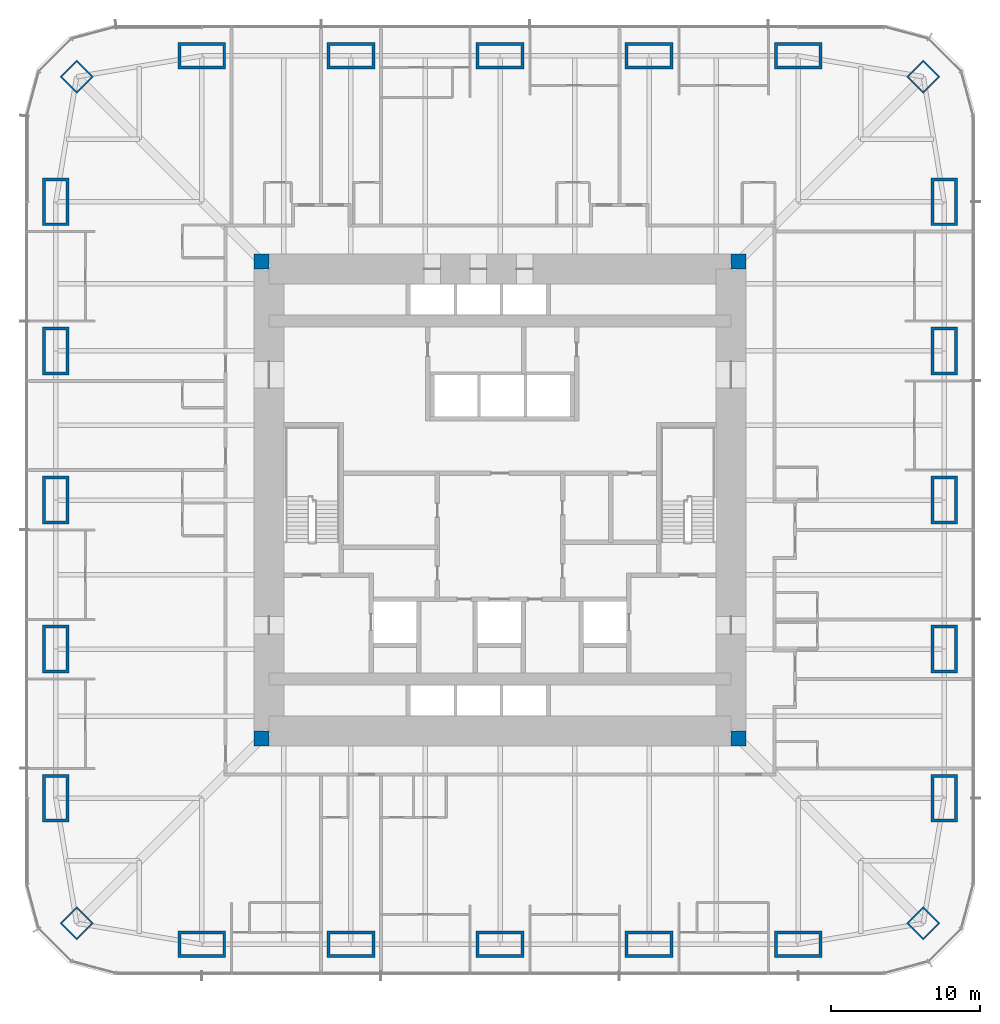
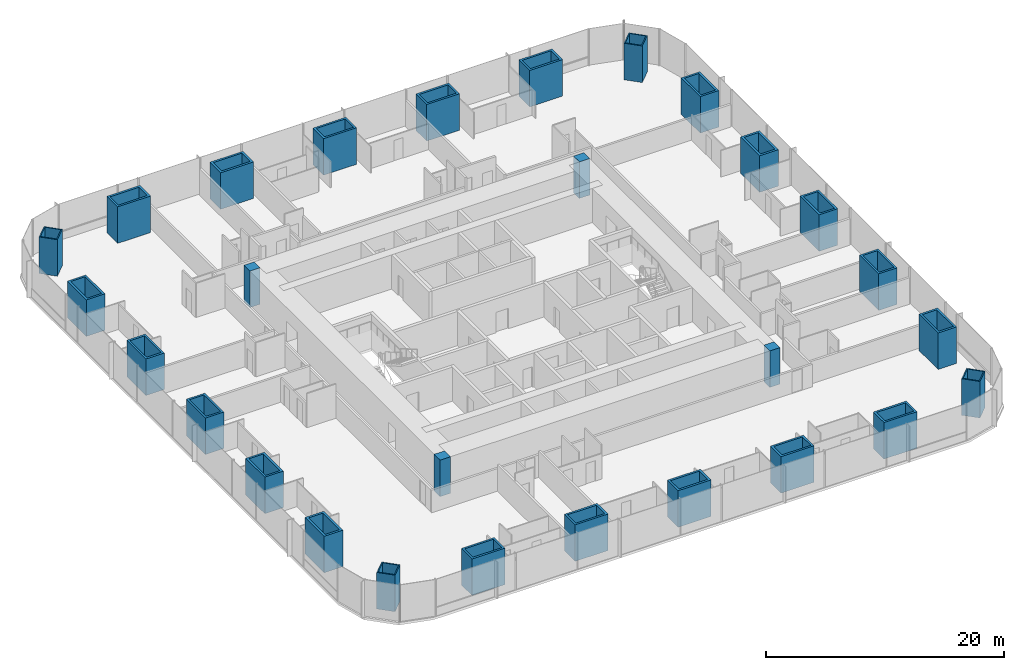
# One storey, part 1 of 17: 28 columns.
"""IFC4 building model written with IfcOpenShell, lengths in metres."""

from ifc_helpers import new_model, si_unit, direction, frame, origin, origin_2d, place, context, subcontext, project, spatial, rectangle, hollow_rectangle, extrude, material, material_profile, profile_set, type_object, element, save


model = new_model("IFC4")

# Units and contexts
model_context = context("Model", 3, precision=1e-05, world=origin(), true_north=direction((0.0, 1.0)))
body_context = subcontext(model_context, "Body", "Model", "MODEL_VIEW")
ifc_project = project(units=[si_unit("LENGTHUNIT", "METRE"), si_unit("AREAUNIT", "SQUARE_METRE"), si_unit("VOLUMEUNIT", "CUBIC_METRE"), si_unit("PLANEANGLEUNIT", "RADIAN"), si_unit("MASSUNIT", "GRAM", prefix="KILO")], contexts=[model_context])

# Site, building, storey
site_placement = place(None, origin())
site = spatial("IfcSite", under=ifc_project, at=site_placement, CompositionType="ELEMENT")
building_placement = place(site_placement, origin())
building = spatial("IfcBuilding", under=site, at=building_placement, Name="Khuree Lantern Residences", CompositionType="ELEMENT")
storey_placement = place(building_placement, frame((0.0, 0.0, 36.0)))
storey = spatial("IfcBuildingStorey", under=building, at=storey_placement, Name="L08", CompositionType="ELEMENT", Elevation=36.0)

# Columns
ifc_material_1 = material(Name="Steel S355 CFT welded box", Category="steel")
ifc_material_profile_1 = material_profile(ifc_material_1, hollow_rectangle(XDim=1.60009765625, YDim=1.60009765625, WallThickness=0.10009765625, at=origin_2d()), Name="WELDED BOX 1600X1600X100")
ifc_profile_set_1 = profile_set([ifc_material_profile_1], Name="Steel S355 CFT welded box")
column_type_1 = type_object("IfcColumnType", Name="CC1600 PERIMETER CORNER MEGA COLUMN WELDED BOX 1600X1600X100", PredefinedType="COLUMN", material=ifc_profile_set_1)
for number, where, z_axis, x_axis, name in (
    (1, (28.39404296875, 28.39404296875, 0.0), (0.0, 0.0, 1.0), (0.707106781187, -0.707106781187, 0.0), "Perimeter column NE"),
    (2, (28.39404296875, -28.39404296875, 0.0), (0.0, 0.0, 1.0), (0.707106781187, 0.707106781187, 0.0), "Perimeter column SE"),
    (3, (-28.39404296875, -28.39404296875, 0.0), (0.0, 0.0, 1.0), (0.707106781187, -0.707106781187, 0.0), "Perimeter column SW"),
    (4, (-28.39404296875, 28.39404296875, 0.0), (0.0, 0.0, 1.0), (0.707106781187, 0.707106781187, 0.0), "Perimeter column NW"),
):
    element("IfcColumn", number, at=place(storey_placement, frame(where, z_axis=z_axis, x_axis=x_axis)), inside=storey, type_object=column_type_1, Name=name, PredefinedType="COLUMN", context=body_context, shape_type="SweptSolid", body=[
        extrude(hollow_rectangle(XDim=1.60009765625, YDim=1.60009765625, WallThickness=0.10009765625, at=origin_2d()), origin(), (0.0, 0.0, 1.0), 3.75),
    ])
ifc_material_2 = material(Name="Concrete C70/85", Category="concrete")
ifc_material_profile_2 = material_profile(ifc_material_2, rectangle(XDim=1.0, YDim=1.0, at=origin_2d()), Name="RC 1000X1000")
ifc_profile_set_2 = profile_set([ifc_material_profile_2], Name="Concrete C70/85")
column_type_2 = type_object("IfcColumnType", Name="CP1000-C70 CORE CORNER PIER C70 RC 1000X1000", PredefinedType="COLUMN", material=ifc_profile_set_2)
for number, where, z_axis, x_axis, name in (
    (5, (16.0, 16.0, -0.25), (0.0, 0.0, 1.0), (1.0, 0.0, 0.0), "Core corner pier NE"),
    (6, (-16.0, 16.0, -0.25), (0.0, 0.0, 1.0), (1.0, 0.0, 0.0), "Core corner pier NW"),
    (7, (-16.0, -16.0, -0.25), (0.0, 0.0, 1.0), (1.0, 0.0, 0.0), "Core corner pier SW"),
    (8, (16.0, -16.0, -0.25), (0.0, 0.0, 1.0), (1.0, 0.0, 0.0), "Core corner pier SE"),
):
    element("IfcColumn", number, at=place(storey_placement, frame(where, z_axis=z_axis, x_axis=x_axis)), inside=storey, type_object=column_type_2, Name=name, PredefinedType="COLUMN", context=body_context, shape_type="SweptSolid", body=[
        extrude(rectangle(XDim=1.0, YDim=1.0, at=origin_2d()), origin(), (0.0, 0.0, 1.0), 3.75),
    ])
ifc_material_profile_3 = material_profile(ifc_material_1, hollow_rectangle(XDim=3.199951171875, YDim=1.800048828125, WallThickness=0.199951171875, at=origin_2d()), Name="WELDED BOX 3200X1800X200")
ifc_profile_set_3 = profile_set([ifc_material_profile_3], Name="Steel S355 CFT welded box")
column_type_3 = type_object("IfcColumnType", Name="SC1 PERIMETER MEGA COLUMN WELDED BOX 3200X1800X200", PredefinedType="COLUMN", material=ifc_profile_set_3)
for number, where, z_axis, x_axis, name in (
    (9, (-20.0, 29.800048828125, 0.0), (0.0, 0.0, 1.0), (1.0, 0.0, 0.0), "Perimeter column N1"),
    (10, (-10.0, 29.800048828125, 0.0), (0.0, 0.0, 1.0), (1.0, 0.0, 0.0), "Perimeter column N2"),
    (11, (0.0, 29.800048828125, 0.0), (0.0, 0.0, 1.0), (1.0, 0.0, 0.0), "Perimeter column N3"),
    (12, (10.0, 29.800048828125, 0.0), (0.0, 0.0, 1.0), (1.0, 0.0, 0.0), "Perimeter column N4"),
    (13, (20.0, 29.800048828125, 0.0), (0.0, 0.0, 1.0), (1.0, 0.0, 0.0), "Perimeter column N5"),
    (14, (29.800048828125, 20.0, 0.0), (0.0, 0.0, 1.0), (0.0, 1.0, 0.0), "Perimeter column E1"),
    (15, (29.800048828125, 10.0, 0.0), (0.0, 0.0, 1.0), (0.0, 1.0, 0.0), "Perimeter column E2"),
    (16, (29.800048828125, 0.0, 0.0), (0.0, 0.0, 1.0), (0.0, 1.0, 0.0), "Perimeter column E3"),
    (17, (29.800048828125, -10.0, 0.0), (0.0, 0.0, 1.0), (0.0, 1.0, 0.0), "Perimeter column E4"),
    (18, (29.800048828125, -20.0, 0.0), (0.0, 0.0, 1.0), (0.0, 1.0, 0.0), "Perimeter column E5"),
    (19, (20.0, -29.800048828125, 0.0), (0.0, 0.0, 1.0), (1.0, 0.0, 0.0), "Perimeter column S1"),
    (20, (10.0, -29.800048828125, 0.0), (0.0, 0.0, 1.0), (1.0, 0.0, 0.0), "Perimeter column S2"),
    (21, (0.0, -29.800048828125, 0.0), (0.0, 0.0, 1.0), (1.0, 0.0, 0.0), "Perimeter column S3"),
    (22, (-10.0, -29.800048828125, 0.0), (0.0, 0.0, 1.0), (1.0, 0.0, 0.0), "Perimeter column S4"),
    (23, (-20.0, -29.800048828125, 0.0), (0.0, 0.0, 1.0), (1.0, 0.0, 0.0), "Perimeter column S5"),
    (24, (-29.800048828125, -20.0, 0.0), (0.0, 0.0, 1.0), (0.0, 1.0, 0.0), "Perimeter column W1"),
    (25, (-29.800048828125, -10.0, 0.0), (0.0, 0.0, 1.0), (0.0, 1.0, 0.0), "Perimeter column W2"),
    (26, (-29.800048828125, 0.0, 0.0), (0.0, 0.0, 1.0), (0.0, 1.0, 0.0), "Perimeter column W3"),
    (27, (-29.800048828125, 10.0, 0.0), (0.0, 0.0, 1.0), (0.0, 1.0, 0.0), "Perimeter column W4"),
    (28, (-29.800048828125, 20.0, 0.0), (0.0, 0.0, 1.0), (0.0, 1.0, 0.0), "Perimeter column W5"),
):
    element("IfcColumn", number, at=place(storey_placement, frame(where, z_axis=z_axis, x_axis=x_axis)), inside=storey, type_object=column_type_3, Name=name, PredefinedType="COLUMN", context=body_context, shape_type="SweptSolid", body=[
        extrude(hollow_rectangle(XDim=3.199951171875, YDim=1.800048828125, WallThickness=0.199951171875, at=origin_2d()), origin(), (0.0, 0.0, 1.0), 3.75),
    ])

save(model, "model.ifc")
